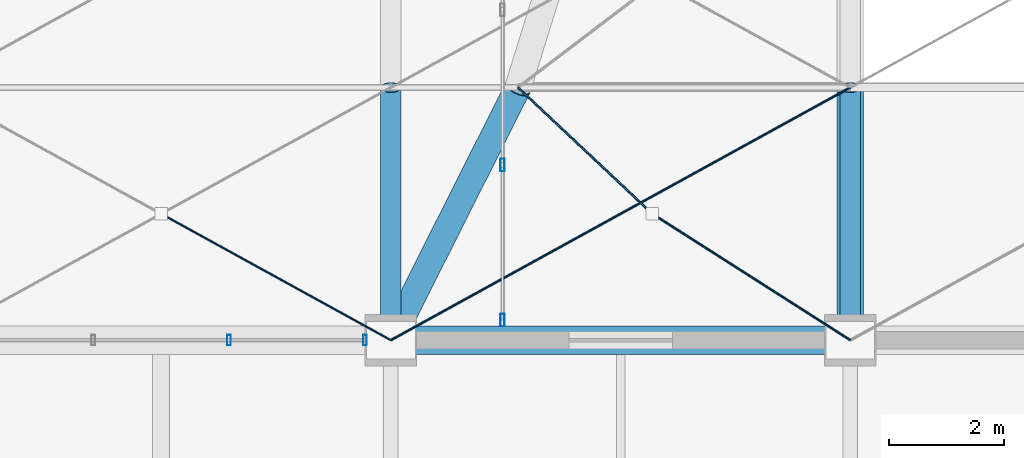
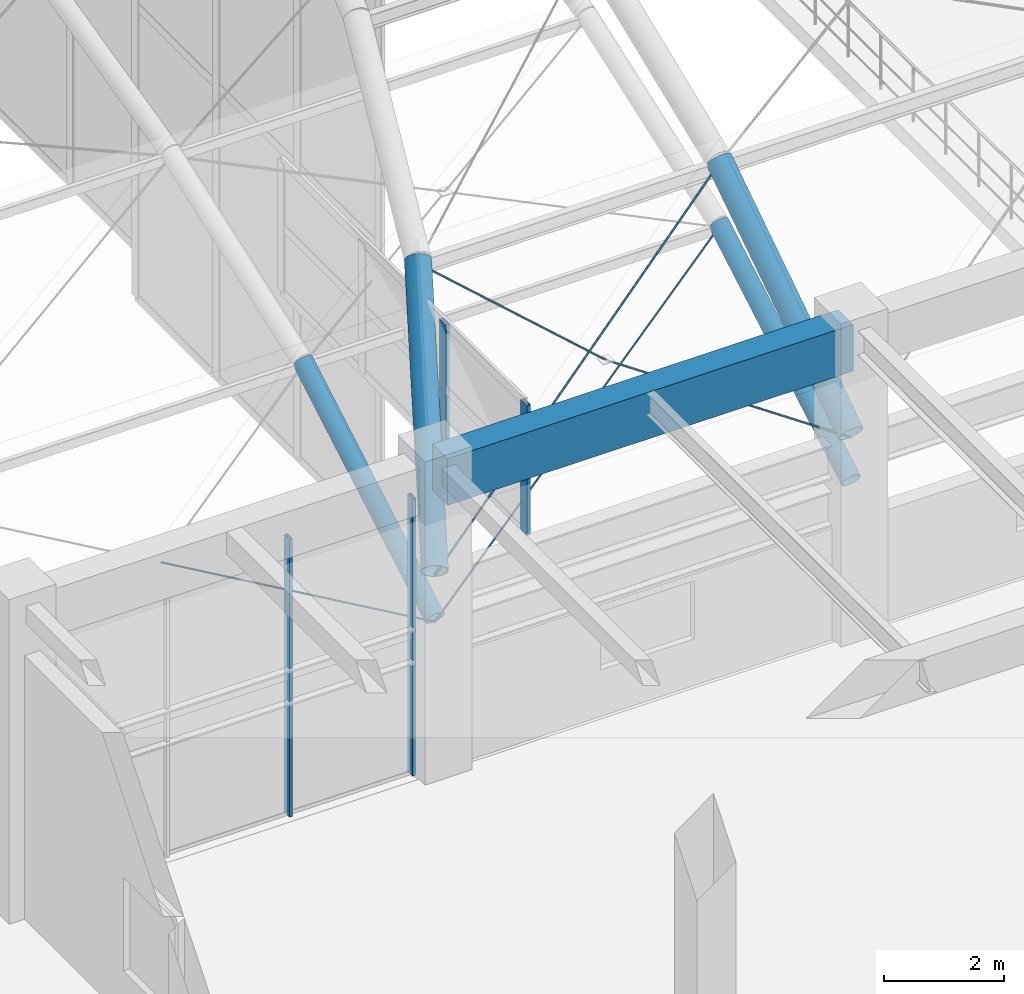
# One storey, part 16 of 163: 9 members, 5 beams, 2 elements without a shape of their own.
"""IFC4 building model written with IfcOpenShell, lengths in metres."""

from ifc_helpers import new_model, si_unit, direction, frame, origin, origin_2d, place, context, subcontext, project, spatial, rectangle, hollow_rectangle, circle, hollow_circle, extrude, material, material_profile, profile_set, type_object, element, aggregate, save


model = new_model("IFC4")

# Units and contexts
model_context = context("Model", 3, precision=1e-05, world=origin(), true_north=direction((0.0, 1.0)))
body_context = subcontext(model_context, "Body", "Model", "MODEL_VIEW")
ifc_project = project(units=[si_unit("LENGTHUNIT", "METRE"), si_unit("AREAUNIT", "SQUARE_METRE"), si_unit("VOLUMEUNIT", "CUBIC_METRE"), si_unit("PLANEANGLEUNIT", "RADIAN"), si_unit("MASSUNIT", "GRAM", prefix="KILO")], contexts=[model_context])

# Site, building, storey
site_placement = place(None, origin())
site = spatial("IfcSite", under=ifc_project, at=site_placement, CompositionType="ELEMENT")
building_placement = place(site_placement, origin())
building = spatial("IfcBuilding", under=site, at=building_placement, Name="Varnabhumi Central Station", CompositionType="ELEMENT")
storey_placement = place(building_placement, frame((0.0, 0.0, 9.60009765625)))
storey = spatial("IfcBuildingStorey", under=building, at=storey_placement, Name="L02", CompositionType="ELEMENT", Elevation=9.60009765625)

# Beams
ifc_material_1 = material(Name="Structural steel E350", Category="steel")
ifc_material_profile_1 = material_profile(ifc_material_1, hollow_circle(Radius=0.177734375, WallThickness=0.012451171875, at=origin_2d()), Name="Structural steel E350", Category="steel")
ifc_profile_set_1 = profile_set([ifc_material_profile_1], Name="Structural steel E350")
beam_type_1 = type_object("IfcBeamType", Name="BM-ARCH-CHS355", PredefinedType="BEAM", material=ifc_profile_set_1)
for number, where, z_axis, x_axis, name in (
    (1, (40.0, 36.0, 3.0), (0.0, 0.86481784928, 0.502085737267), (-1.0, 0.0, 0.0), "Entrance Portico Vault Arch Rib 4 Seg 1"),
    (2, (48.0, 36.0, 3.0), (0.0, 0.86481784928, 0.502085737267), (-1.0, 0.0, 0.0), "Entrance Portico Vault Arch Rib 5 Seg 1"),
):
    element("IfcBeam", number, at=place(storey_placement, frame(where, z_axis=z_axis, x_axis=x_axis)), inside=storey, type_object=beam_type_1, Name=name, PredefinedType="BEAM", context=body_context, shape_type="SweptSolid", body=[
        extrude(hollow_circle(Radius=0.177734375, WallThickness=0.012451171875, at=origin_2d()), origin(), (0.0, 0.0, 1.0), 5.087646484375),
    ])
ifc_material_2 = material(Name="Structural steel E450", Category="steel")
ifc_material_profile_2 = material_profile(ifc_material_2, hollow_circle(Radius=0.228515625, WallThickness=0.01611328125, at=origin_2d()), Name="Structural steel E450", Category="steel")
ifc_profile_set_2 = profile_set([ifc_material_profile_2], Name="Structural steel E450")
beam_type_2 = type_object("IfcBeamType", Name="BM-ARCH-CHS457", PredefinedType="BEAM", material=ifc_profile_set_2)
beam_1_placement = place(storey_placement, frame((40.0, 36.0, 3.949951171875), z_axis=(0.387495441946, 0.770119414948, 0.506718234516), x_axis=(-0.893294210393, 0.449472417037, 0.0)))
element("IfcBeam", 3, at=beam_1_placement, inside=storey, type_object=beam_type_2, Name="Ticket Hall Vault Arch Rib 1 Seg 1", PredefinedType="BEAM", context=body_context, shape_type="SweptSolid", body=[
    extrude(hollow_circle(Radius=0.228515625, WallThickness=0.01611328125, at=origin_2d()), origin(), (0.0, 0.0, 1.0), 5.71337890625),
])
beam_2_placement = place(storey_placement, frame((48.0, 36.0, 3.949951171875), z_axis=(0.0, 0.835386835677, 0.549662473503), x_axis=(-1.0, 0.0, 0.0)))
element("IfcBeam", 4, at=beam_2_placement, inside=storey, type_object=beam_type_2, Name="Ticket Hall Vault Arch Rib 2 Seg 1", PredefinedType="BEAM", context=body_context, shape_type="SweptSolid", body=[
    extrude(hollow_circle(Radius=0.228515625, WallThickness=0.01611328125, at=origin_2d()), origin(), (0.0, 0.0, 1.0), 5.266845703125),
])
ifc_material_3 = material(Name="Concrete M40", Category="concrete")
ifc_material_profile_3 = material_profile(ifc_material_3, rectangle(XDim=0.5, YDim=0.949951171875, at=origin_2d()), Name="Concrete M40", Category="concrete")
ifc_profile_set_3 = profile_set([ifc_material_profile_3], Name="Concrete M40")
beam_type_3 = type_object("IfcBeamType", Name="BM-RC-950x500", PredefinedType="BEAM", material=ifc_profile_set_3)
beam_3_placement = place(storey_placement, frame((40.10009765625, 36.0, 5.875), z_axis=(1.0, 0.0, 0.0), x_axis=(0.0, 1.0, 0.0)))
element("IfcBeam", 5, at=beam_3_placement, inside=storey, type_object=beam_type_3, Name="Beam L02-E:6-7", PredefinedType="BEAM", context=body_context, shape_type="SweptSolid", body=[
    extrude(rectangle(XDim=0.5, YDim=0.949951171875, at=origin_2d()), origin(), (0.0, 0.0, 1.0), 7.7998046875),
])

# Curtain wall, members
ifc_material_4 = material(Name="Anodised aluminium 6063-T6", Category="aluminium")
curtain_wall_type_1 = type_object("IfcCurtainWallType", Name="CW-SPINE-SCREEN-L2", PredefinedType="NOTDEFINED", material=ifc_material_4)
curtain_wall_1_placement = place(storey_placement, origin())
curtain_wall_1 = element("IfcCurtainWall", 6, at=curtain_wall_1_placement, inside=storey, type_object=curtain_wall_type_1, Name="Curtain Wall CW-SS200", PredefinedType="NOTDEFINED")
ifc_material_profile_4 = material_profile(ifc_material_4, hollow_rectangle(XDim=0.06494140625, YDim=0.179931640625, WallThickness=0.00390625, InnerFilletRadius=0.001953125, OuterFilletRadius=0.006103515625, at=origin_2d()), Name="Anodised aluminium 6063-T6", Category="aluminium")
ifc_profile_set_4 = profile_set([ifc_material_profile_4], Name="Anodised aluminium 6063-T6")
member_type_1 = type_object("IfcMemberType", Name="CW-MUL-180", PredefinedType="MULLION", material=ifc_profile_set_4)
member_1_placement = place(storey_placement, frame((37.183349609375, 36.0, 0.0), z_axis=(0.0, 0.0, 1.0), x_axis=(1.0, 0.0, 0.0)))
member_1 = element("IfcMember", 7, at=member_1_placement, type_object=member_type_1, Name="Curtain Wall Mullion CW-SS200-M3", PredefinedType="MULLION", context=body_context, shape_type="SweptSolid", body=[
    extrude(hollow_rectangle(XDim=0.06494140625, YDim=0.179931640625, WallThickness=0.00390625, InnerFilletRadius=0.001953125, OuterFilletRadius=0.006103515625, at=origin_2d()), origin(), (0.0, 0.0, 1.0), 5.639892578125),
])
member_2_placement = place(storey_placement, frame((39.550048828125, 36.0, 0.0), z_axis=(0.0, 0.0, 1.0), x_axis=(1.0, 0.0, 0.0)))
member_2 = element("IfcMember", 8, at=member_2_placement, type_object=member_type_1, Name="Curtain Wall Mullion CW-SS200-M4", PredefinedType="MULLION", context=body_context, shape_type="SweptSolid", body=[
    extrude(hollow_rectangle(XDim=0.06494140625, YDim=0.179931640625, WallThickness=0.00390625, InnerFilletRadius=0.001953125, OuterFilletRadius=0.006103515625, at=origin_2d()), origin(), (0.0, 0.0, 1.0), 5.639892578125),
])
aggregate(curtain_wall_1, [member_1, member_2])

curtain_wall_type_2 = type_object("IfcCurtainWallType", Name="CW-VAULT-ARCH-V3", PredefinedType="NOTDEFINED", material=ifc_material_4)
curtain_wall_2_placement = place(storey_placement, origin())
curtain_wall_2 = element("IfcCurtainWall", 9, at=curtain_wall_2_placement, inside=storey, type_object=curtain_wall_type_2, Name="Curtain Wall CW-V31", PredefinedType="NOTDEFINED")
ifc_material_profile_5 = material_profile(ifc_material_4, hollow_rectangle(XDim=0.074951171875, YDim=0.219970703125, WallThickness=0.0048828125, InnerFilletRadius=0.0009765625, OuterFilletRadius=0.006103515625, at=origin_2d()), Name="Anodised aluminium 6063-T6", Category="aluminium")
ifc_profile_set_5 = profile_set([ifc_material_profile_5], Name="Anodised aluminium 6063-T6")
member_type_2 = type_object("IfcMemberType", Name="CW-MUL-220", PredefinedType="MULLION", material=ifc_profile_set_5)
member_3_placement = place(storey_placement, frame((41.946044921875, 36.35009765625, 3.849853515625), z_axis=(0.0, 0.0, 1.0), x_axis=(1.0, 0.0, 0.0)))
member_3 = element("IfcMember", 10, at=member_3_placement, type_object=member_type_2, Name="Curtain Wall Mullion CW-V31-M1", PredefinedType="MULLION", context=body_context, shape_type="SweptSolid", body=[
    extrude(hollow_rectangle(XDim=0.074951171875, YDim=0.219970703125, WallThickness=0.0048828125, InnerFilletRadius=0.0009765625, OuterFilletRadius=0.006103515625, at=origin_2d()), origin(), (0.0, 0.0, 1.0), 2.645263671875),
])
member_4_placement = place(storey_placement, frame((41.946044921875, 39.050048828125, 3.849853515625), z_axis=(0.0, 0.0, 1.0), x_axis=(1.0, 0.0, 0.0)))
member_4 = element("IfcMember", 11, at=member_4_placement, type_object=member_type_2, Name="Curtain Wall Mullion CW-V31-M2", PredefinedType="MULLION", context=body_context, shape_type="SweptSolid", body=[
    extrude(hollow_rectangle(XDim=0.074951171875, YDim=0.219970703125, WallThickness=0.0048828125, InnerFilletRadius=0.0009765625, OuterFilletRadius=0.006103515625, at=origin_2d()), origin(), (0.0, 0.0, 1.0), 2.645263671875),
])
aggregate(curtain_wall_2, [member_3, member_4])

# Members
ifc_material_5 = material(Name="Spiral-strand steel S1570", Category="steel")
ifc_material_profile_6 = material_profile(ifc_material_5, circle(Radius=0.01806640625, at=origin_2d()), Name="Spiral-strand steel S1570", Category="steel")
ifc_profile_set_6 = profile_set([ifc_material_profile_6], Name="Spiral-strand steel S1570")
member_type_3 = type_object("IfcMemberType", Name="MBR-CABLE-D36", PredefinedType="USERDEFINED", material=ifc_profile_set_6)
member_5_placement = place(storey_placement, frame((36.0, 38.199951171875, 4.197265625), z_axis=(0.843810647871, -0.464085555906, -0.26945906431), x_axis=(0.481910537812, 0.876220425204, 0.0)))
element("IfcMember", 12, at=member_5_placement, inside=storey, type_object=member_type_3, Name="Entrance Portico Vault Cable-Net Split Tie B3-P1B2", ObjectType="TENSION CABLE", PredefinedType="USERDEFINED", context=body_context, shape_type="SweptSolid", body=[
    extrude(circle(Radius=0.01806640625, at=origin_2d()), origin(), (0.0, 0.0, 1.0), 4.740478515625),
])
member_6_placement = place(storey_placement, frame((40.0, 36.0, 2.919921875), z_axis=(0.843816502733, 0.464088776008, 0.269435182742), x_axis=(-0.481910537812, 0.876220425204, 0.0)))
element("IfcMember", 13, at=member_6_placement, inside=storey, type_object=member_type_3, Name="Entrance Portico Vault Cable-Net Tie B4-P1A", ObjectType="TENSION CABLE", PredefinedType="USERDEFINED", context=body_context, shape_type="SweptSolid", body=[
    extrude(circle(Radius=0.01806640625, at=origin_2d()), origin(), (0.0, 0.0, 1.0), 9.480712890625),
])
ifc_material_profile_7 = material_profile(ifc_material_5, circle(Radius=0.02099609375, at=origin_2d()), Name="Spiral-strand steel S1570", Category="steel")
ifc_profile_set_7 = profile_set([ifc_material_profile_7], Name="Spiral-strand steel S1570")
member_type_4 = type_object("IfcMemberType", Name="MBR-CABLE-D42", PredefinedType="USERDEFINED", material=ifc_profile_set_7)
member_7_placement = place(storey_placement, frame((40.0, 36.0, 3.869873046875), z_axis=(0.8352374511, 0.459370402335, 0.302253591771), x_axis=(-0.481910537812, 0.876220425204, 0.0)))
element("IfcMember", 14, at=member_7_placement, inside=storey, type_object=member_type_4, Name="Ticket Hall Vault Cable-Net Tie B1-P1A", ObjectType="TENSION CABLE", PredefinedType="USERDEFINED", context=body_context, shape_type="SweptSolid", body=[
    extrude(circle(Radius=0.02099609375, at=origin_2d()), origin(), (0.0, 0.0, 1.0), 9.578125),
])
member_8_placement = place(storey_placement, frame((42.2138671875, 40.39990234375, 6.764892578125), z_axis=(0.664166119475, -0.624522686276, -0.410919432575), x_axis=(0.685030271388, 0.728514603342, 0.0)))
element("IfcMember", 15, at=member_8_placement, inside=storey, type_object=member_type_4, Name="Ticket Hall Vault Cable-Net Split Tie B1-P1B1", ObjectType="TENSION CABLE", PredefinedType="USERDEFINED", context=body_context, shape_type="SweptSolid", body=[
    extrude(circle(Radius=0.02099609375, at=origin_2d()), origin(), (0.0, 0.0, 1.0), 3.522705078125),
])
member_9_placement = place(storey_placement, frame((44.553466796875, 38.199951171875, 5.3173828125), z_axis=(0.794594970694, -0.507196662246, -0.333722007597), x_axis=(0.538041771468, 0.84291817643, 0.0)))
element("IfcMember", 16, at=member_9_placement, inside=storey, type_object=member_type_4, Name="Ticket Hall Vault Cable-Net Split Tie B1-P1B2", ObjectType="TENSION CABLE", PredefinedType="USERDEFINED", context=body_context, shape_type="SweptSolid", body=[
    extrude(circle(Radius=0.02099609375, at=origin_2d()), origin(), (0.0, 0.0, 1.0), 4.33740234375),
])

save(model, "model.ifc")
